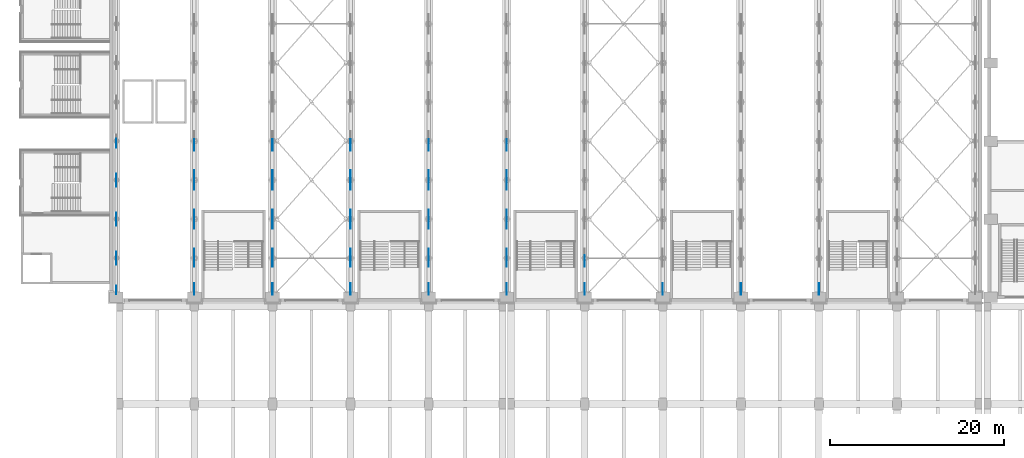
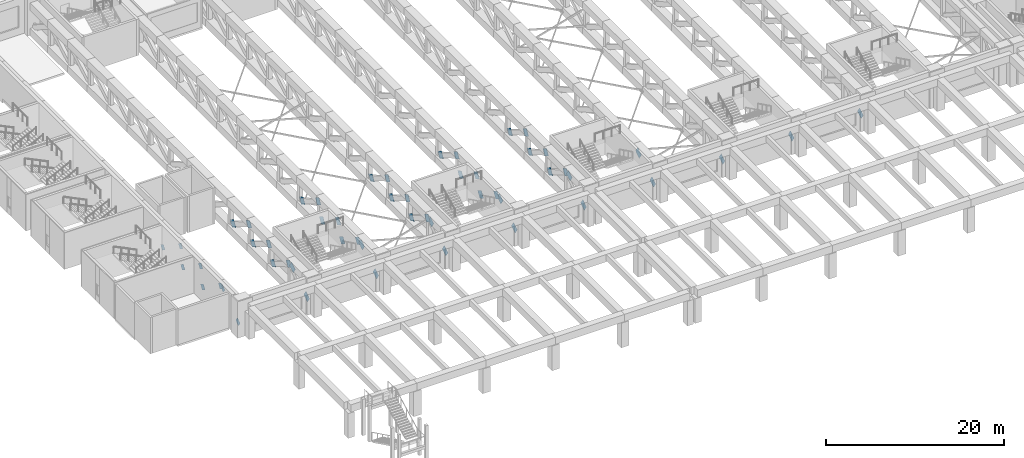
# One storey, part 52 of 76: 53 discrete accessories.
"""IFC4 building model written with IfcOpenShell, lengths in metres."""

from ifc_helpers import new_model, si_unit, direction, frame, origin, place, context, subcontext, project, spatial, polyline, outline, extrude, material, layer, layer_set, type_object, element, save


model = new_model("IFC4")

# Units and contexts
model_context = context("Model", 3, precision=1e-05, world=origin(), true_north=direction((0.0, 1.0)))
body_context = subcontext(model_context, "Body", "Model", "MODEL_VIEW")
ifc_project = project(units=[si_unit("LENGTHUNIT", "METRE"), si_unit("AREAUNIT", "SQUARE_METRE"), si_unit("VOLUMEUNIT", "CUBIC_METRE"), si_unit("PLANEANGLEUNIT", "RADIAN"), si_unit("MASSUNIT", "GRAM", prefix="KILO")], contexts=[model_context])

# Site, building, storey
site_placement = place(None, origin())
site = spatial("IfcSite", under=ifc_project, at=site_placement, CompositionType="ELEMENT")
building_placement = place(site_placement, origin())
building = spatial("IfcBuilding", under=site, at=building_placement, Name="Aravalli Gate Trade Fair Centre", CompositionType="ELEMENT")
storey_placement = place(building_placement, frame((0.0, 0.0, 10.0)))
storey = spatial("IfcBuildingStorey", under=building, at=storey_placement, Name="L02", CompositionType="ELEMENT", Elevation=10.0)

# Discrete accessories
ifc_material = material(Name="Steel E350", Category="steel")
ifc_layer_1 = layer(ifc_material, 0.01611328125)
ifc_layer_set_1 = layer_set([ifc_layer_1], Name="Steel E350")
discrete_accessory_type_1 = type_object("IfcDiscreteAccessoryType", Name="Gusset plate 675 x 675 x 16", PredefinedType="USERDEFINED", material=ifc_layer_set_1)
discrete_accessory_1_placement = place(storey_placement, frame((5.991943359375, 47.343017578125, 0.931884765625), z_axis=(-1.0, 0.0, 0.0), x_axis=(0.0, -0.80243851413, -0.596734807968)))
element("IfcDiscreteAccessory", 1, at=discrete_accessory_1_placement, inside=storey, type_object=discrete_accessory_type_1, Name="Gusset plate FT2 line 1 diagonal 1 end A", ObjectType="GUSSET PLATE", PredefinedType="USERDEFINED", context=body_context, shape_type="SweptSolid", body=[
    extrude(outline(polyline([(0.0, 0.0), (0.7548402525043576, 0.0), (0.7548082723853139, 0.675103392578611), (-3.1980119043650834e-05, 0.675103392578611), (0.0, 0.0)])), origin(), (0.0, 0.0, -1.0), 0.01611328125),
])
discrete_accessory_2_placement = place(storey_placement, frame((5.991943359375, 49.757080078125, 3.568115234375), z_axis=(-1.0, 0.0, 0.0), x_axis=(0.0, 0.80243851413, 0.596734807968)))
element("IfcDiscreteAccessory", 2, at=discrete_accessory_2_placement, inside=storey, type_object=discrete_accessory_type_1, Name="Gusset plate FT2 line 1 diagonal 1 end B", ObjectType="GUSSET PLATE", PredefinedType="USERDEFINED", context=body_context, shape_type="SweptSolid", body=[
    extrude(outline(polyline([(0.0, 0.0), (0.7548402525043576, 0.0), (0.7548082723853139, 0.675103392578611), (-0.00022788795940736906, 0.6749577053696343), (0.0, 0.0)])), origin(), (0.0, 0.0, -1.0), 0.01611328125),
])
discrete_accessory_3_placement = place(storey_placement, frame((5.991943359375, 50.884521484375, 3.05078125), z_axis=(-1.0, 0.0, 0.0), x_axis=(0.0, -0.840557944742, 0.541721645803)))
element("IfcDiscreteAccessory", 3, at=discrete_accessory_3_placement, inside=storey, type_object=discrete_accessory_type_1, Name="Gusset plate FT2 line 1 diagonal 2 end A", ObjectType="GUSSET PLATE", PredefinedType="USERDEFINED", context=body_context, shape_type="SweptSolid", body=[
    extrude(outline(polyline([(0.0, 0.0), (0.7548813122812147, -5.551115123125783e-17), (0.755038993328129, 0.6749057537468108), (-0.0001797895562460905, 0.6748327956660154), (0.0, 0.0)])), origin(), (0.0, 0.0, -1.0), 0.01611328125),
])
discrete_accessory_4_placement = place(storey_placement, frame((6.008056640625, 54.249755859375, 0.882080078125), z_axis=(1.0, 0.0, 0.0), x_axis=(0.0, 0.840505607678, -0.541802845565)))
element("IfcDiscreteAccessory", 4, at=discrete_accessory_4_placement, inside=storey, type_object=discrete_accessory_type_1, Name="Gusset plate FT2 line 1 diagonal 2 end B", ObjectType="GUSSET PLATE", PredefinedType="USERDEFINED", context=body_context, shape_type="SweptSolid", body=[
    extrude(outline(polyline([(0.0, 0.0), (0.755218786408441, 0.0), (0.7549959059400588, 0.6749057353646954), (0.00011459718133527419, 0.674832809885664), (0.0, 0.0)])), origin(), (0.0, 0.0, -1.0), 0.01611328125),
])
discrete_accessory_5_placement = place(storey_placement, frame((5.991943359375, 55.384521484375, 3.05078125), z_axis=(-1.0, 0.0, 0.0), x_axis=(0.0, -0.840557944742, 0.541721645803)))
element("IfcDiscreteAccessory", 5, at=discrete_accessory_5_placement, inside=storey, type_object=discrete_accessory_type_1, Name="Gusset plate FT2 line 1 diagonal 3 end A", ObjectType="GUSSET PLATE", PredefinedType="USERDEFINED", context=body_context, shape_type="SweptSolid", body=[
    extrude(outline(polyline([(0.0, 0.0), (0.7548813122812147, -5.551115123125783e-17), (0.755038993328129, 0.6749057537468108), (-0.0001797895562460905, 0.6748327956660154), (0.0, 0.0)])), origin(), (0.0, 0.0, -1.0), 0.01611328125),
])
discrete_accessory_6_placement = place(storey_placement, frame((6.008056640625, 58.749755859375, 0.882080078125), z_axis=(1.0, 0.0, 0.0), x_axis=(0.0, 0.840505607678, -0.541802845565)))
element("IfcDiscreteAccessory", 6, at=discrete_accessory_6_placement, inside=storey, type_object=discrete_accessory_type_1, Name="Gusset plate FT2 line 1 diagonal 3 end B", ObjectType="GUSSET PLATE", PredefinedType="USERDEFINED", context=body_context, shape_type="SweptSolid", body=[
    extrude(outline(polyline([(0.0, 0.0), (0.755218786408441, 0.0), (0.7549959059400588, 0.6749057353646954), (0.00011459718133527419, 0.674832809885664), (0.0, 0.0)])), origin(), (0.0, 0.0, -1.0), 0.01611328125),
])
discrete_accessory_7_placement = place(storey_placement, frame((5.991943359375, 59.884521484375, 3.05078125), z_axis=(-1.0, 0.0, 0.0), x_axis=(0.0, -0.840557944742, 0.541721645803)))
element("IfcDiscreteAccessory", 7, at=discrete_accessory_7_placement, inside=storey, type_object=discrete_accessory_type_1, Name="Gusset plate FT2 line 1 diagonal 4 end A", ObjectType="GUSSET PLATE", PredefinedType="USERDEFINED", context=body_context, shape_type="SweptSolid", body=[
    extrude(outline(polyline([(0.0, 0.0), (0.7548813122812147, -5.551115123125783e-17), (0.755038993328129, 0.6749057537468108), (-0.0001797895562460905, 0.6748327956660154), (0.0, 0.0)])), origin(), (0.0, 0.0, -1.0), 0.01611328125),
])
discrete_accessory_8_placement = place(storey_placement, frame((6.008056640625, 63.249755859375, 0.882080078125), z_axis=(1.0, 0.0, 0.0), x_axis=(0.0, 0.840505607678, -0.541802845565)))
element("IfcDiscreteAccessory", 8, at=discrete_accessory_8_placement, inside=storey, type_object=discrete_accessory_type_1, Name="Gusset plate FT2 line 1 diagonal 4 end B", ObjectType="GUSSET PLATE", PredefinedType="USERDEFINED", context=body_context, shape_type="SweptSolid", body=[
    extrude(outline(polyline([(0.0, 0.0), (0.755218786408441, 0.0), (0.7549959059400588, 0.6749057353646954), (0.00011459718133527419, 0.674832809885664), (0.0, 0.0)])), origin(), (0.0, 0.0, -1.0), 0.01611328125),
])
ifc_layer_2 = layer(ifc_material, 0.02001953125)
ifc_layer_set_2 = layer_set([ifc_layer_2], Name="Steel E350")
discrete_accessory_type_2 = type_object("IfcDiscreteAccessoryType", Name="Gusset plate 900 x 900 x 20", PredefinedType="USERDEFINED", material=ifc_layer_set_2)
discrete_accessory_9_placement = place(storey_placement, frame((14.989990234375, 47.6005859375, 1.10693359375), z_axis=(-1.0, 0.0, 0.0), x_axis=(0.0, -0.841841417294, -0.539724955999)))
element("IfcDiscreteAccessory", 9, at=discrete_accessory_9_placement, inside=storey, type_object=discrete_accessory_type_2, Name="Gusset plate FT1 line 2 diagonal 1 end A", ObjectType="GUSSET PLATE", PredefinedType="USERDEFINED", context=body_context, shape_type="SweptSolid", body=[
    extrude(outline(polyline([(0.0, 0.0), (0.9802265552012132, 5.551115123125783e-17), (0.9800108119339646, 0.9000460685456917), (0.00012155321060602908, 0.8999723096440082), (0.0, 0.0)])), origin(), (0.0, 0.0, -1.0), 0.02001953125),
])
discrete_accessory_10_placement = place(storey_placement, frame((14.989990234375, 49.49951171875, 3.39306640625), z_axis=(-1.0, 0.0, 0.0), x_axis=(0.0, 0.841768840933, 0.539838140959)))
element("IfcDiscreteAccessory", 10, at=discrete_accessory_10_placement, inside=storey, type_object=discrete_accessory_type_2, Name="Gusset plate FT1 line 2 diagonal 1 end B", ObjectType="GUSSET PLATE", PredefinedType="USERDEFINED", context=body_context, shape_type="SweptSolid", body=[
    extrude(outline(polyline([(0.0, 0.0), (0.9800210363699342, 0.0), (0.9798897873266467, 0.9001778278234601), (-0.00020496259308583342, 0.8998405214313965), (0.0, 0.0)])), origin(), (0.0, 0.0, -1.0), 0.02001953125),
])
discrete_accessory_11_placement = place(storey_placement, frame((14.989990234375, 51.156005859375, 2.657958984375), z_axis=(-1.0, 0.0, 0.0), x_axis=(0.0, -0.86388729855, 0.503685155037)))
element("IfcDiscreteAccessory", 11, at=discrete_accessory_11_placement, inside=storey, type_object=discrete_accessory_type_2, Name="Gusset plate FT1 line 2 diagonal 2 end A", ObjectType="GUSSET PLATE", PredefinedType="USERDEFINED", context=body_context, shape_type="SweptSolid", body=[
    extrude(outline(polyline([(0.0, 0.0), (0.9800811852673053, 0.0), (0.9800808203711375, 0.9001036081016202), (-3.6489616778156986e-07, 0.9001036081016202), (0.0, 0.0)])), origin(), (0.0, 0.0, -1.0), 0.02001953125),
])
discrete_accessory_12_placement = place(storey_placement, frame((15.010009765625, 53.890625, 1.064453125), z_axis=(1.0, 0.0, 0.0), x_axis=(0.0, 0.86388729855, -0.503685155037)))
element("IfcDiscreteAccessory", 12, at=discrete_accessory_12_placement, inside=storey, type_object=discrete_accessory_type_2, Name="Gusset plate FT1 line 2 diagonal 2 end B", ObjectType="GUSSET PLATE", PredefinedType="USERDEFINED", context=body_context, shape_type="SweptSolid", body=[
    extrude(outline(polyline([(0.0, 0.0), (0.9800811852673053, 0.0), (0.980081550163473, 0.9001036081016202), (3.6489616778156986e-07, 0.9001036081016202), (0.0, 0.0)])), origin(), (0.0, 0.0, -1.0), 0.02001953125),
])
discrete_accessory_13_placement = place(storey_placement, frame((14.989990234375, 55.656005859375, 2.657958984375), z_axis=(-1.0, 0.0, 0.0), x_axis=(0.0, -0.86388729855, 0.503685155037)))
element("IfcDiscreteAccessory", 13, at=discrete_accessory_13_placement, inside=storey, type_object=discrete_accessory_type_2, Name="Gusset plate FT1 line 2 diagonal 3 end A", ObjectType="GUSSET PLATE", PredefinedType="USERDEFINED", context=body_context, shape_type="SweptSolid", body=[
    extrude(outline(polyline([(0.0, 0.0), (0.9800811852673053, 0.0), (0.9800808203711375, 0.9001036081016202), (-3.6489616778156986e-07, 0.9001036081016202), (0.0, 0.0)])), origin(), (0.0, 0.0, -1.0), 0.02001953125),
])
discrete_accessory_14_placement = place(storey_placement, frame((15.010009765625, 58.390625, 1.064453125), z_axis=(1.0, 0.0, 0.0), x_axis=(0.0, 0.86388729855, -0.503685155037)))
element("IfcDiscreteAccessory", 14, at=discrete_accessory_14_placement, inside=storey, type_object=discrete_accessory_type_2, Name="Gusset plate FT1 line 2 diagonal 3 end B", ObjectType="GUSSET PLATE", PredefinedType="USERDEFINED", context=body_context, shape_type="SweptSolid", body=[
    extrude(outline(polyline([(0.0, 0.0), (0.9800811852673053, 0.0), (0.980081550163473, 0.9001036081016202), (3.6489616778156986e-07, 0.9001036081016202), (0.0, 0.0)])), origin(), (0.0, 0.0, -1.0), 0.02001953125),
])
discrete_accessory_15_placement = place(storey_placement, frame((14.989990234375, 60.156005859375, 2.657958984375), z_axis=(-1.0, 0.0, 0.0), x_axis=(0.0, -0.86388729855, 0.503685155037)))
element("IfcDiscreteAccessory", 15, at=discrete_accessory_15_placement, inside=storey, type_object=discrete_accessory_type_2, Name="Gusset plate FT1 line 2 diagonal 4 end A", ObjectType="GUSSET PLATE", PredefinedType="USERDEFINED", context=body_context, shape_type="SweptSolid", body=[
    extrude(outline(polyline([(0.0, 0.0), (0.9800811852673053, 0.0), (0.9800808203711375, 0.9001036081016202), (-3.6489616778156986e-07, 0.9001036081016202), (0.0, 0.0)])), origin(), (0.0, 0.0, -1.0), 0.02001953125),
])
discrete_accessory_16_placement = place(storey_placement, frame((15.010009765625, 62.890625, 1.064453125), z_axis=(1.0, 0.0, 0.0), x_axis=(0.0, 0.86388729855, -0.503685155037)))
element("IfcDiscreteAccessory", 16, at=discrete_accessory_16_placement, inside=storey, type_object=discrete_accessory_type_2, Name="Gusset plate FT1 line 2 diagonal 4 end B", ObjectType="GUSSET PLATE", PredefinedType="USERDEFINED", context=body_context, shape_type="SweptSolid", body=[
    extrude(outline(polyline([(0.0, 0.0), (0.9800811852673053, 0.0), (0.980081550163473, 0.9001036081016202), (3.6489616778156986e-07, 0.9001036081016202), (0.0, 0.0)])), origin(), (0.0, 0.0, -1.0), 0.02001953125),
])
discrete_accessory_17_placement = place(storey_placement, frame((23.989990234375, 47.6005859375, 1.10693359375), z_axis=(-1.0, 0.0, 0.0), x_axis=(0.0, -0.841841417294, -0.539724955999)))
element("IfcDiscreteAccessory", 17, at=discrete_accessory_17_placement, inside=storey, type_object=discrete_accessory_type_2, Name="Gusset plate FT1 line 3 diagonal 1 end A", ObjectType="GUSSET PLATE", PredefinedType="USERDEFINED", context=body_context, shape_type="SweptSolid", body=[
    extrude(outline(polyline([(0.0, 0.0), (0.9802265552012132, 5.551115123125783e-17), (0.9800108119339646, 0.9000460685456917), (0.00012155321060602908, 0.8999723096440082), (0.0, 0.0)])), origin(), (0.0, 0.0, -1.0), 0.02001953125),
])
discrete_accessory_18_placement = place(storey_placement, frame((23.989990234375, 49.49951171875, 3.39306640625), z_axis=(-1.0, 0.0, 0.0), x_axis=(0.0, 0.841768840933, 0.539838140959)))
element("IfcDiscreteAccessory", 18, at=discrete_accessory_18_placement, inside=storey, type_object=discrete_accessory_type_2, Name="Gusset plate FT1 line 3 diagonal 1 end B", ObjectType="GUSSET PLATE", PredefinedType="USERDEFINED", context=body_context, shape_type="SweptSolid", body=[
    extrude(outline(polyline([(0.0, 0.0), (0.9800210363699342, 0.0), (0.9798897873266467, 0.9001778278234601), (-0.00020496259308583342, 0.8998405214313965), (0.0, 0.0)])), origin(), (0.0, 0.0, -1.0), 0.02001953125),
])
discrete_accessory_19_placement = place(storey_placement, frame((23.989990234375, 51.156005859375, 2.657958984375), z_axis=(-1.0, 0.0, 0.0), x_axis=(0.0, -0.86388729855, 0.503685155037)))
element("IfcDiscreteAccessory", 19, at=discrete_accessory_19_placement, inside=storey, type_object=discrete_accessory_type_2, Name="Gusset plate FT1 line 3 diagonal 2 end A", ObjectType="GUSSET PLATE", PredefinedType="USERDEFINED", context=body_context, shape_type="SweptSolid", body=[
    extrude(outline(polyline([(0.0, 0.0), (0.9800811852673053, 0.0), (0.9800808203711375, 0.9001036081016202), (-3.6489616778156986e-07, 0.9001036081016202), (0.0, 0.0)])), origin(), (0.0, 0.0, -1.0), 0.02001953125),
])
discrete_accessory_20_placement = place(storey_placement, frame((24.010009765625, 53.890625, 1.064453125), z_axis=(1.0, 0.0, 0.0), x_axis=(0.0, 0.86388729855, -0.503685155037)))
element("IfcDiscreteAccessory", 20, at=discrete_accessory_20_placement, inside=storey, type_object=discrete_accessory_type_2, Name="Gusset plate FT1 line 3 diagonal 2 end B", ObjectType="GUSSET PLATE", PredefinedType="USERDEFINED", context=body_context, shape_type="SweptSolid", body=[
    extrude(outline(polyline([(0.0, 0.0), (0.9800811852673053, 0.0), (0.980081550163473, 0.9001036081016202), (3.6489616778156986e-07, 0.9001036081016202), (0.0, 0.0)])), origin(), (0.0, 0.0, -1.0), 0.02001953125),
])
discrete_accessory_21_placement = place(storey_placement, frame((23.989990234375, 55.656005859375, 2.657958984375), z_axis=(-1.0, 0.0, 0.0), x_axis=(0.0, -0.86388729855, 0.503685155037)))
element("IfcDiscreteAccessory", 21, at=discrete_accessory_21_placement, inside=storey, type_object=discrete_accessory_type_2, Name="Gusset plate FT1 line 3 diagonal 3 end A", ObjectType="GUSSET PLATE", PredefinedType="USERDEFINED", context=body_context, shape_type="SweptSolid", body=[
    extrude(outline(polyline([(0.0, 0.0), (0.9800811852673053, 0.0), (0.9800808203711375, 0.9001036081016202), (-3.6489616778156986e-07, 0.9001036081016202), (0.0, 0.0)])), origin(), (0.0, 0.0, -1.0), 0.02001953125),
])
discrete_accessory_22_placement = place(storey_placement, frame((24.010009765625, 58.390625, 1.064453125), z_axis=(1.0, 0.0, 0.0), x_axis=(0.0, 0.86388729855, -0.503685155037)))
element("IfcDiscreteAccessory", 22, at=discrete_accessory_22_placement, inside=storey, type_object=discrete_accessory_type_2, Name="Gusset plate FT1 line 3 diagonal 3 end B", ObjectType="GUSSET PLATE", PredefinedType="USERDEFINED", context=body_context, shape_type="SweptSolid", body=[
    extrude(outline(polyline([(0.0, 0.0), (0.9800811852673053, 0.0), (0.980081550163473, 0.9001036081016202), (3.6489616778156986e-07, 0.9001036081016202), (0.0, 0.0)])), origin(), (0.0, 0.0, -1.0), 0.02001953125),
])
discrete_accessory_23_placement = place(storey_placement, frame((23.989990234375, 60.156005859375, 2.657958984375), z_axis=(-1.0, 0.0, 0.0), x_axis=(0.0, -0.86388729855, 0.503685155037)))
element("IfcDiscreteAccessory", 23, at=discrete_accessory_23_placement, inside=storey, type_object=discrete_accessory_type_2, Name="Gusset plate FT1 line 3 diagonal 4 end A", ObjectType="GUSSET PLATE", PredefinedType="USERDEFINED", context=body_context, shape_type="SweptSolid", body=[
    extrude(outline(polyline([(0.0, 0.0), (0.9800811852673053, 0.0), (0.9800808203711375, 0.9001036081016202), (-3.6489616778156986e-07, 0.9001036081016202), (0.0, 0.0)])), origin(), (0.0, 0.0, -1.0), 0.02001953125),
])
discrete_accessory_24_placement = place(storey_placement, frame((24.010009765625, 62.890625, 1.064453125), z_axis=(1.0, 0.0, 0.0), x_axis=(0.0, 0.86388729855, -0.503685155037)))
element("IfcDiscreteAccessory", 24, at=discrete_accessory_24_placement, inside=storey, type_object=discrete_accessory_type_2, Name="Gusset plate FT1 line 3 diagonal 4 end B", ObjectType="GUSSET PLATE", PredefinedType="USERDEFINED", context=body_context, shape_type="SweptSolid", body=[
    extrude(outline(polyline([(0.0, 0.0), (0.9800811852673053, 0.0), (0.980081550163473, 0.9001036081016202), (3.6489616778156986e-07, 0.9001036081016202), (0.0, 0.0)])), origin(), (0.0, 0.0, -1.0), 0.02001953125),
])
discrete_accessory_25_placement = place(storey_placement, frame((32.989990234375, 47.6005859375, 1.10693359375), z_axis=(-1.0, 0.0, 0.0), x_axis=(0.0, -0.841841417294, -0.539724955999)))
element("IfcDiscreteAccessory", 25, at=discrete_accessory_25_placement, inside=storey, type_object=discrete_accessory_type_2, Name="Gusset plate FT1 line 4 diagonal 1 end A", ObjectType="GUSSET PLATE", PredefinedType="USERDEFINED", context=body_context, shape_type="SweptSolid", body=[
    extrude(outline(polyline([(0.0, 0.0), (0.9802265552012132, 5.551115123125783e-17), (0.9800108119339646, 0.9000460685456917), (0.00012155321060602908, 0.8999723096440082), (0.0, 0.0)])), origin(), (0.0, 0.0, -1.0), 0.02001953125),
])
discrete_accessory_26_placement = place(storey_placement, frame((32.989990234375, 49.49951171875, 3.39306640625), z_axis=(-1.0, 0.0, 0.0), x_axis=(0.0, 0.841768840933, 0.539838140959)))
element("IfcDiscreteAccessory", 26, at=discrete_accessory_26_placement, inside=storey, type_object=discrete_accessory_type_2, Name="Gusset plate FT1 line 4 diagonal 1 end B", ObjectType="GUSSET PLATE", PredefinedType="USERDEFINED", context=body_context, shape_type="SweptSolid", body=[
    extrude(outline(polyline([(0.0, 0.0), (0.9800210363699342, 0.0), (0.9798897873266467, 0.9001778278234601), (-0.00020496259308583342, 0.8998405214313965), (0.0, 0.0)])), origin(), (0.0, 0.0, -1.0), 0.02001953125),
])
discrete_accessory_27_placement = place(storey_placement, frame((32.989990234375, 51.156005859375, 2.657958984375), z_axis=(-1.0, 0.0, 0.0), x_axis=(0.0, -0.86388729855, 0.503685155037)))
element("IfcDiscreteAccessory", 27, at=discrete_accessory_27_placement, inside=storey, type_object=discrete_accessory_type_2, Name="Gusset plate FT1 line 4 diagonal 2 end A", ObjectType="GUSSET PLATE", PredefinedType="USERDEFINED", context=body_context, shape_type="SweptSolid", body=[
    extrude(outline(polyline([(0.0, 0.0), (0.9800811852673053, 0.0), (0.9800808203711375, 0.9001036081016202), (-3.6489616778156986e-07, 0.9001036081016202), (0.0, 0.0)])), origin(), (0.0, 0.0, -1.0), 0.02001953125),
])
discrete_accessory_28_placement = place(storey_placement, frame((33.010009765625, 53.890625, 1.064453125), z_axis=(1.0, 0.0, 0.0), x_axis=(0.0, 0.86388729855, -0.503685155037)))
element("IfcDiscreteAccessory", 28, at=discrete_accessory_28_placement, inside=storey, type_object=discrete_accessory_type_2, Name="Gusset plate FT1 line 4 diagonal 2 end B", ObjectType="GUSSET PLATE", PredefinedType="USERDEFINED", context=body_context, shape_type="SweptSolid", body=[
    extrude(outline(polyline([(0.0, 0.0), (0.9800811852673053, 0.0), (0.980081550163473, 0.9001036081016202), (3.6489616778156986e-07, 0.9001036081016202), (0.0, 0.0)])), origin(), (0.0, 0.0, -1.0), 0.02001953125),
])
discrete_accessory_29_placement = place(storey_placement, frame((32.989990234375, 55.656005859375, 2.657958984375), z_axis=(-1.0, 0.0, 0.0), x_axis=(0.0, -0.86388729855, 0.503685155037)))
element("IfcDiscreteAccessory", 29, at=discrete_accessory_29_placement, inside=storey, type_object=discrete_accessory_type_2, Name="Gusset plate FT1 line 4 diagonal 3 end A", ObjectType="GUSSET PLATE", PredefinedType="USERDEFINED", context=body_context, shape_type="SweptSolid", body=[
    extrude(outline(polyline([(0.0, 0.0), (0.9800811852673053, 0.0), (0.9800808203711375, 0.9001036081016202), (-3.6489616778156986e-07, 0.9001036081016202), (0.0, 0.0)])), origin(), (0.0, 0.0, -1.0), 0.02001953125),
])
discrete_accessory_30_placement = place(storey_placement, frame((33.010009765625, 58.390625, 1.064453125), z_axis=(1.0, 0.0, 0.0), x_axis=(0.0, 0.86388729855, -0.503685155037)))
element("IfcDiscreteAccessory", 30, at=discrete_accessory_30_placement, inside=storey, type_object=discrete_accessory_type_2, Name="Gusset plate FT1 line 4 diagonal 3 end B", ObjectType="GUSSET PLATE", PredefinedType="USERDEFINED", context=body_context, shape_type="SweptSolid", body=[
    extrude(outline(polyline([(0.0, 0.0), (0.9800811852673053, 0.0), (0.980081550163473, 0.9001036081016202), (3.6489616778156986e-07, 0.9001036081016202), (0.0, 0.0)])), origin(), (0.0, 0.0, -1.0), 0.02001953125),
])
discrete_accessory_31_placement = place(storey_placement, frame((32.989990234375, 60.156005859375, 2.657958984375), z_axis=(-1.0, 0.0, 0.0), x_axis=(0.0, -0.86388729855, 0.503685155037)))
element("IfcDiscreteAccessory", 31, at=discrete_accessory_31_placement, inside=storey, type_object=discrete_accessory_type_2, Name="Gusset plate FT1 line 4 diagonal 4 end A", ObjectType="GUSSET PLATE", PredefinedType="USERDEFINED", context=body_context, shape_type="SweptSolid", body=[
    extrude(outline(polyline([(0.0, 0.0), (0.9800811852673053, 0.0), (0.9800808203711375, 0.9001036081016202), (-3.6489616778156986e-07, 0.9001036081016202), (0.0, 0.0)])), origin(), (0.0, 0.0, -1.0), 0.02001953125),
])
discrete_accessory_32_placement = place(storey_placement, frame((33.010009765625, 62.890625, 1.064453125), z_axis=(1.0, 0.0, 0.0), x_axis=(0.0, 0.86388729855, -0.503685155037)))
element("IfcDiscreteAccessory", 32, at=discrete_accessory_32_placement, inside=storey, type_object=discrete_accessory_type_2, Name="Gusset plate FT1 line 4 diagonal 4 end B", ObjectType="GUSSET PLATE", PredefinedType="USERDEFINED", context=body_context, shape_type="SweptSolid", body=[
    extrude(outline(polyline([(0.0, 0.0), (0.9800811852673053, 0.0), (0.980081550163473, 0.9001036081016202), (3.6489616778156986e-07, 0.9001036081016202), (0.0, 0.0)])), origin(), (0.0, 0.0, -1.0), 0.02001953125),
])
discrete_accessory_33_placement = place(storey_placement, frame((41.989990234375, 47.6005859375, 1.10693359375), z_axis=(-1.0, 0.0, 0.0), x_axis=(0.0, -0.841841417294, -0.539724955999)))
element("IfcDiscreteAccessory", 33, at=discrete_accessory_33_placement, inside=storey, type_object=discrete_accessory_type_2, Name="Gusset plate FT1 line 5 diagonal 1 end A", ObjectType="GUSSET PLATE", PredefinedType="USERDEFINED", context=body_context, shape_type="SweptSolid", body=[
    extrude(outline(polyline([(0.0, 0.0), (0.9802265552012132, 5.551115123125783e-17), (0.9800108119339646, 0.9000460685456917), (0.00012155321060602908, 0.8999723096440082), (0.0, 0.0)])), origin(), (0.0, 0.0, -1.0), 0.02001953125),
])
discrete_accessory_34_placement = place(storey_placement, frame((41.989990234375, 49.49951171875, 3.39306640625), z_axis=(-1.0, 0.0, 0.0), x_axis=(0.0, 0.841768840933, 0.539838140959)))
element("IfcDiscreteAccessory", 34, at=discrete_accessory_34_placement, inside=storey, type_object=discrete_accessory_type_2, Name="Gusset plate FT1 line 5 diagonal 1 end B", ObjectType="GUSSET PLATE", PredefinedType="USERDEFINED", context=body_context, shape_type="SweptSolid", body=[
    extrude(outline(polyline([(0.0, 0.0), (0.9800210363699342, 0.0), (0.9798897873266467, 0.9001778278234601), (-0.00020496259308583342, 0.8998405214313965), (0.0, 0.0)])), origin(), (0.0, 0.0, -1.0), 0.02001953125),
])
discrete_accessory_35_placement = place(storey_placement, frame((41.989990234375, 51.156005859375, 2.657958984375), z_axis=(-1.0, 0.0, 0.0), x_axis=(0.0, -0.86388729855, 0.503685155037)))
element("IfcDiscreteAccessory", 35, at=discrete_accessory_35_placement, inside=storey, type_object=discrete_accessory_type_2, Name="Gusset plate FT1 line 5 diagonal 2 end A", ObjectType="GUSSET PLATE", PredefinedType="USERDEFINED", context=body_context, shape_type="SweptSolid", body=[
    extrude(outline(polyline([(0.0, 0.0), (0.9800811852673053, 0.0), (0.9800808203711375, 0.9001036081016202), (-3.6489616778156986e-07, 0.9001036081016202), (0.0, 0.0)])), origin(), (0.0, 0.0, -1.0), 0.02001953125),
])
discrete_accessory_36_placement = place(storey_placement, frame((42.010009765625, 53.890625, 1.064453125), z_axis=(1.0, 0.0, 0.0), x_axis=(0.0, 0.86388729855, -0.503685155037)))
element("IfcDiscreteAccessory", 36, at=discrete_accessory_36_placement, inside=storey, type_object=discrete_accessory_type_2, Name="Gusset plate FT1 line 5 diagonal 2 end B", ObjectType="GUSSET PLATE", PredefinedType="USERDEFINED", context=body_context, shape_type="SweptSolid", body=[
    extrude(outline(polyline([(0.0, 0.0), (0.9800811852673053, 0.0), (0.980081550163473, 0.9001036081016202), (3.6489616778156986e-07, 0.9001036081016202), (0.0, 0.0)])), origin(), (0.0, 0.0, -1.0), 0.02001953125),
])
discrete_accessory_37_placement = place(storey_placement, frame((41.989990234375, 55.656005859375, 2.657958984375), z_axis=(-1.0, 0.0, 0.0), x_axis=(0.0, -0.86388729855, 0.503685155037)))
element("IfcDiscreteAccessory", 37, at=discrete_accessory_37_placement, inside=storey, type_object=discrete_accessory_type_2, Name="Gusset plate FT1 line 5 diagonal 3 end A", ObjectType="GUSSET PLATE", PredefinedType="USERDEFINED", context=body_context, shape_type="SweptSolid", body=[
    extrude(outline(polyline([(0.0, 0.0), (0.9800811852673053, 0.0), (0.9800808203711375, 0.9001036081016202), (-3.6489616778156986e-07, 0.9001036081016202), (0.0, 0.0)])), origin(), (0.0, 0.0, -1.0), 0.02001953125),
])
discrete_accessory_38_placement = place(storey_placement, frame((42.010009765625, 58.390625, 1.064453125), z_axis=(1.0, 0.0, 0.0), x_axis=(0.0, 0.86388729855, -0.503685155037)))
element("IfcDiscreteAccessory", 38, at=discrete_accessory_38_placement, inside=storey, type_object=discrete_accessory_type_2, Name="Gusset plate FT1 line 5 diagonal 3 end B", ObjectType="GUSSET PLATE", PredefinedType="USERDEFINED", context=body_context, shape_type="SweptSolid", body=[
    extrude(outline(polyline([(0.0, 0.0), (0.9800811852673053, 0.0), (0.980081550163473, 0.9001036081016202), (3.6489616778156986e-07, 0.9001036081016202), (0.0, 0.0)])), origin(), (0.0, 0.0, -1.0), 0.02001953125),
])
discrete_accessory_39_placement = place(storey_placement, frame((41.989990234375, 60.156005859375, 2.657958984375), z_axis=(-1.0, 0.0, 0.0), x_axis=(0.0, -0.86388729855, 0.503685155037)))
element("IfcDiscreteAccessory", 39, at=discrete_accessory_39_placement, inside=storey, type_object=discrete_accessory_type_2, Name="Gusset plate FT1 line 5 diagonal 4 end A", ObjectType="GUSSET PLATE", PredefinedType="USERDEFINED", context=body_context, shape_type="SweptSolid", body=[
    extrude(outline(polyline([(0.0, 0.0), (0.9800811852673053, 0.0), (0.9800808203711375, 0.9001036081016202), (-3.6489616778156986e-07, 0.9001036081016202), (0.0, 0.0)])), origin(), (0.0, 0.0, -1.0), 0.02001953125),
])
discrete_accessory_40_placement = place(storey_placement, frame((42.010009765625, 62.890625, 1.064453125), z_axis=(1.0, 0.0, 0.0), x_axis=(0.0, 0.86388729855, -0.503685155037)))
element("IfcDiscreteAccessory", 40, at=discrete_accessory_40_placement, inside=storey, type_object=discrete_accessory_type_2, Name="Gusset plate FT1 line 5 diagonal 4 end B", ObjectType="GUSSET PLATE", PredefinedType="USERDEFINED", context=body_context, shape_type="SweptSolid", body=[
    extrude(outline(polyline([(0.0, 0.0), (0.9800811852673053, 0.0), (0.980081550163473, 0.9001036081016202), (3.6489616778156986e-07, 0.9001036081016202), (0.0, 0.0)])), origin(), (0.0, 0.0, -1.0), 0.02001953125),
])
discrete_accessory_41_placement = place(storey_placement, frame((50.989990234375, 47.6005859375, 1.10693359375), z_axis=(-1.0, 0.0, 0.0), x_axis=(0.0, -0.841841417294, -0.539724955999)))
element("IfcDiscreteAccessory", 41, at=discrete_accessory_41_placement, inside=storey, type_object=discrete_accessory_type_2, Name="Gusset plate FT1 line 6 diagonal 1 end A", ObjectType="GUSSET PLATE", PredefinedType="USERDEFINED", context=body_context, shape_type="SweptSolid", body=[
    extrude(outline(polyline([(0.0, 0.0), (0.9802265552012132, 5.551115123125783e-17), (0.9800108119339646, 0.9000460685456917), (0.00012155321060602908, 0.8999723096440082), (0.0, 0.0)])), origin(), (0.0, 0.0, -1.0), 0.02001953125),
])
discrete_accessory_42_placement = place(storey_placement, frame((50.989990234375, 49.49951171875, 3.39306640625), z_axis=(-1.0, 0.0, 0.0), x_axis=(0.0, 0.841768840933, 0.539838140959)))
element("IfcDiscreteAccessory", 42, at=discrete_accessory_42_placement, inside=storey, type_object=discrete_accessory_type_2, Name="Gusset plate FT1 line 6 diagonal 1 end B", ObjectType="GUSSET PLATE", PredefinedType="USERDEFINED", context=body_context, shape_type="SweptSolid", body=[
    extrude(outline(polyline([(0.0, 0.0), (0.9800210363699342, 0.0), (0.9798897873266467, 0.9001778278234601), (-0.00020496259308583342, 0.8998405214313965), (0.0, 0.0)])), origin(), (0.0, 0.0, -1.0), 0.02001953125),
])
discrete_accessory_43_placement = place(storey_placement, frame((50.989990234375, 51.156005859375, 2.657958984375), z_axis=(-1.0, 0.0, 0.0), x_axis=(0.0, -0.86388729855, 0.503685155037)))
element("IfcDiscreteAccessory", 43, at=discrete_accessory_43_placement, inside=storey, type_object=discrete_accessory_type_2, Name="Gusset plate FT1 line 6 diagonal 2 end A", ObjectType="GUSSET PLATE", PredefinedType="USERDEFINED", context=body_context, shape_type="SweptSolid", body=[
    extrude(outline(polyline([(0.0, 0.0), (0.9800811852673053, 0.0), (0.9800808203711375, 0.9001036081016202), (-3.6489616778156986e-07, 0.9001036081016202), (0.0, 0.0)])), origin(), (0.0, 0.0, -1.0), 0.02001953125),
])
discrete_accessory_44_placement = place(storey_placement, frame((51.010009765625, 53.890625, 1.064453125), z_axis=(1.0, 0.0, 0.0), x_axis=(0.0, 0.86388729855, -0.503685155037)))
element("IfcDiscreteAccessory", 44, at=discrete_accessory_44_placement, inside=storey, type_object=discrete_accessory_type_2, Name="Gusset plate FT1 line 6 diagonal 2 end B", ObjectType="GUSSET PLATE", PredefinedType="USERDEFINED", context=body_context, shape_type="SweptSolid", body=[
    extrude(outline(polyline([(0.0, 0.0), (0.9800811852673053, 0.0), (0.980081550163473, 0.9001036081016202), (3.6489616778156986e-07, 0.9001036081016202), (0.0, 0.0)])), origin(), (0.0, 0.0, -1.0), 0.02001953125),
])
discrete_accessory_45_placement = place(storey_placement, frame((50.989990234375, 55.656005859375, 2.657958984375), z_axis=(-1.0, 0.0, 0.0), x_axis=(0.0, -0.86388729855, 0.503685155037)))
element("IfcDiscreteAccessory", 45, at=discrete_accessory_45_placement, inside=storey, type_object=discrete_accessory_type_2, Name="Gusset plate FT1 line 6 diagonal 3 end A", ObjectType="GUSSET PLATE", PredefinedType="USERDEFINED", context=body_context, shape_type="SweptSolid", body=[
    extrude(outline(polyline([(0.0, 0.0), (0.9800811852673053, 0.0), (0.9800808203711375, 0.9001036081016202), (-3.6489616778156986e-07, 0.9001036081016202), (0.0, 0.0)])), origin(), (0.0, 0.0, -1.0), 0.02001953125),
])
discrete_accessory_46_placement = place(storey_placement, frame((51.010009765625, 58.390625, 1.064453125), z_axis=(1.0, 0.0, 0.0), x_axis=(0.0, 0.86388729855, -0.503685155037)))
element("IfcDiscreteAccessory", 46, at=discrete_accessory_46_placement, inside=storey, type_object=discrete_accessory_type_2, Name="Gusset plate FT1 line 6 diagonal 3 end B", ObjectType="GUSSET PLATE", PredefinedType="USERDEFINED", context=body_context, shape_type="SweptSolid", body=[
    extrude(outline(polyline([(0.0, 0.0), (0.9800811852673053, 0.0), (0.980081550163473, 0.9001036081016202), (3.6489616778156986e-07, 0.9001036081016202), (0.0, 0.0)])), origin(), (0.0, 0.0, -1.0), 0.02001953125),
])
discrete_accessory_47_placement = place(storey_placement, frame((50.989990234375, 60.156005859375, 2.657958984375), z_axis=(-1.0, 0.0, 0.0), x_axis=(0.0, -0.86388729855, 0.503685155037)))
element("IfcDiscreteAccessory", 47, at=discrete_accessory_47_placement, inside=storey, type_object=discrete_accessory_type_2, Name="Gusset plate FT1 line 6 diagonal 4 end A", ObjectType="GUSSET PLATE", PredefinedType="USERDEFINED", context=body_context, shape_type="SweptSolid", body=[
    extrude(outline(polyline([(0.0, 0.0), (0.9800811852673053, 0.0), (0.9800808203711375, 0.9001036081016202), (-3.6489616778156986e-07, 0.9001036081016202), (0.0, 0.0)])), origin(), (0.0, 0.0, -1.0), 0.02001953125),
])
discrete_accessory_48_placement = place(storey_placement, frame((51.010009765625, 62.890625, 1.064453125), z_axis=(1.0, 0.0, 0.0), x_axis=(0.0, 0.86388729855, -0.503685155037)))
element("IfcDiscreteAccessory", 48, at=discrete_accessory_48_placement, inside=storey, type_object=discrete_accessory_type_2, Name="Gusset plate FT1 line 6 diagonal 4 end B", ObjectType="GUSSET PLATE", PredefinedType="USERDEFINED", context=body_context, shape_type="SweptSolid", body=[
    extrude(outline(polyline([(0.0, 0.0), (0.9800811852673053, 0.0), (0.980081550163473, 0.9001036081016202), (3.6489616778156986e-07, 0.9001036081016202), (0.0, 0.0)])), origin(), (0.0, 0.0, -1.0), 0.02001953125),
])
discrete_accessory_49_placement = place(storey_placement, frame((59.989990234375, 47.6005859375, 1.10693359375), z_axis=(-1.0, 0.0, 0.0), x_axis=(0.0, -0.841841417294, -0.539724955999)))
element("IfcDiscreteAccessory", 49, at=discrete_accessory_49_placement, inside=storey, type_object=discrete_accessory_type_2, Name="Gusset plate FT1 line 7 diagonal 1 end A", ObjectType="GUSSET PLATE", PredefinedType="USERDEFINED", context=body_context, shape_type="SweptSolid", body=[
    extrude(outline(polyline([(0.0, 0.0), (0.9802265552012132, 5.551115123125783e-17), (0.9800108119339646, 0.9000460685456917), (0.00012155321060602908, 0.8999723096440082), (0.0, 0.0)])), origin(), (0.0, 0.0, -1.0), 0.02001953125),
])
discrete_accessory_50_placement = place(storey_placement, frame((59.989990234375, 49.49951171875, 3.39306640625), z_axis=(-1.0, 0.0, 0.0), x_axis=(0.0, 0.841768840933, 0.539838140959)))
element("IfcDiscreteAccessory", 50, at=discrete_accessory_50_placement, inside=storey, type_object=discrete_accessory_type_2, Name="Gusset plate FT1 line 7 diagonal 1 end B", ObjectType="GUSSET PLATE", PredefinedType="USERDEFINED", context=body_context, shape_type="SweptSolid", body=[
    extrude(outline(polyline([(0.0, 0.0), (0.9800210363699342, 0.0), (0.9798897873266467, 0.9001778278234601), (-0.00020496259308583342, 0.8998405214313965), (0.0, 0.0)])), origin(), (0.0, 0.0, -1.0), 0.02001953125),
])
for number, where, z_axis, x_axis, name in (
    (51, (68.989990234375, 47.6005859375, 1.10693359375), (-1.0, 0.0, 0.0), (0.0, -0.841841417294, -0.539724955999), "Gusset plate FT1 line 8 diagonal 1 end A"),
    (52, (77.989990234375, 47.6005859375, 1.10693359375), (-1.0, 0.0, 0.0), (0.0, -0.841841417294, -0.539724955999), "Gusset plate FT1 line 9 diagonal 1 end A"),
    (53, (86.989990234375, 47.6005859375, 1.10693359375), (-1.0, 0.0, 0.0), (0.0, -0.841841417294, -0.539724955999), "Gusset plate FT1 line 10 diagonal 1 end A"),
):
    element("IfcDiscreteAccessory", number, at=place(storey_placement, frame(where, z_axis=z_axis, x_axis=x_axis)), inside=storey, type_object=discrete_accessory_type_2, Name=name, ObjectType="GUSSET PLATE", PredefinedType="USERDEFINED", context=body_context, shape_type="SweptSolid", body=[
        extrude(outline(polyline([(0.0, 0.0), (0.9802265552012132, 5.551115123125783e-17), (0.9800108119339646, 0.9000460685456917), (0.00012155321060602908, 0.8999723096440082), (0.0, 0.0)])), origin(), (0.0, 0.0, -1.0), 0.02001953125),
    ])

save(model, "model.ifc")
